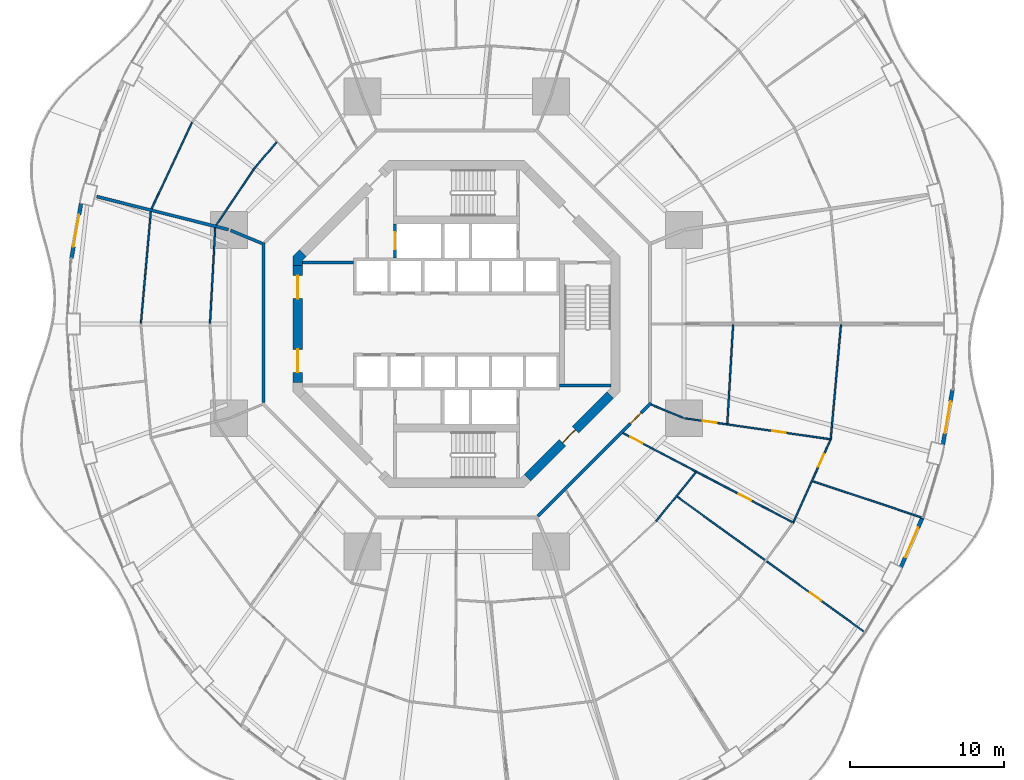
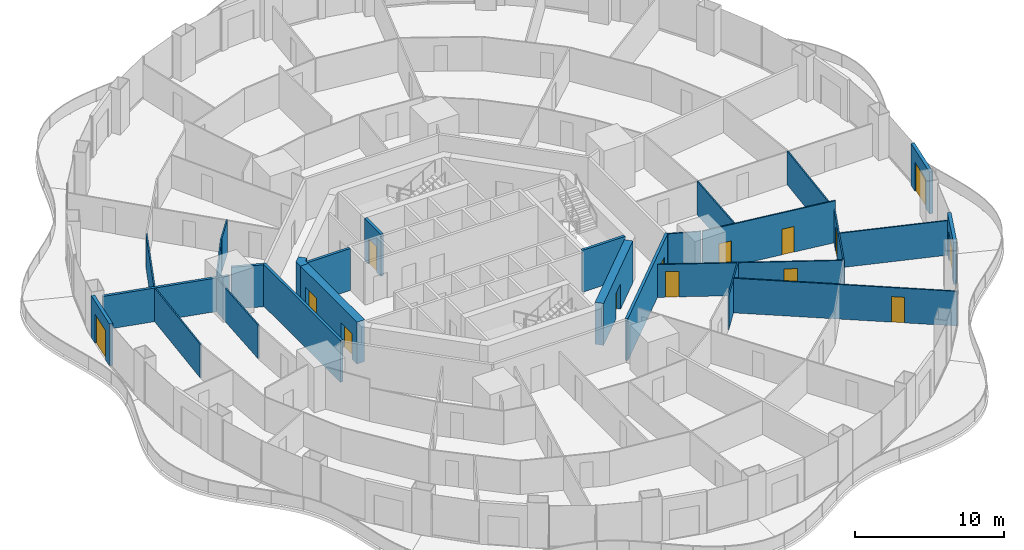
# One storey, part 16 of 22: 27 walls, 14 doors, 14 openings.
"""IFC4 building model written with IfcOpenShell, lengths in metres."""

from ifc_helpers import new_model, si_unit, direction, frame, frame_2d, origin, place, context, subcontext, project, spatial, polyline, rectangle, outline, extrude, material, layer, layer_set, type_object, element, fill, save


model = new_model("IFC4")

# Units and contexts
model_context = context("Model", 3, precision=1e-05, world=origin(), true_north=direction((0.0, 1.0)))
body_context = subcontext(model_context, "Body", "Model", "MODEL_VIEW")
ifc_project = project(units=[si_unit("LENGTHUNIT", "METRE"), si_unit("AREAUNIT", "SQUARE_METRE"), si_unit("VOLUMEUNIT", "CUBIC_METRE"), si_unit("PLANEANGLEUNIT", "RADIAN"), si_unit("MASSUNIT", "GRAM", prefix="KILO")], contexts=[model_context])

# Site, building, storey
site_placement = place(None, origin())
site = spatial("IfcSite", under=ifc_project, at=site_placement, CompositionType="ELEMENT")
building_placement = place(site_placement, origin())
building = spatial("IfcBuilding", under=site, at=building_placement, Name="Nagisa Residences", CompositionType="ELEMENT")
storey_placement = place(building_placement, frame((0.0, 0.0, 45.5)))
storey = spatial("IfcBuildingStorey", under=building, at=storey_placement, Name="L10", CompositionType="ELEMENT", Elevation=45.5)

# Walls
ifc_material_1 = material(Name="Gypsum board on steel studs", Category="steel")
ifc_layer_1 = layer(ifc_material_1, 0.199951171875)
ifc_layer_set_1 = layer_set([ifc_layer_1], Name="Apartment compartment wall EI60 200")
wall_type_1 = type_object("IfcWallType", Name="Apartment compartment wall EI60 200", PredefinedType="PARTITIONING", material=ifc_layer_set_1)
wall_1_placement = place(storey_placement, frame((-12.6572265625, 5.24267578125, 0.0), z_axis=(0.0, 0.0, 1.0), x_axis=(-0.923885664896, 0.382668627144, 0.0)))
element("IfcWall", 1, at=wall_1_placement, inside=storey, type_object=wall_type_1, Name="wall:L10:u02", PredefinedType="PARTITIONING", context=body_context, shape_type="SweptSolid", body=[
    extrude(rectangle(XDim=2.200439453125, YDim=0.199951171875, at=frame_2d((1.10009765625, 0.0))), origin(), (0.0, 0.0, 1.0), 3.43994140625),
])
wall_2_placement = place(storey_placement, frame((-14.83056640625, 6.135009765625, 0.0), z_axis=(0.0, 0.0, 1.0), x_axis=(-0.969884949569, 0.243563512454, 0.0)))
element("IfcWall", 2, at=wall_2_placement, inside=storey, type_object=wall_type_1, Name="wall:L10:u03", PredefinedType="PARTITIONING", context=body_context, shape_type="SweptSolid", body=[
    extrude(rectangle(XDim=8.828857421875, YDim=0.199951171875, at=frame_2d((4.41455078125, 0.0))), origin(), (0.0, 0.0, 1.0), 2.756103515625),
])
ifc_material_2 = material(Name="Gypsum board on steel studs", Category="steel")
ifc_layer_2 = layer(ifc_material_2, 0.199951171875)
ifc_layer_set_2 = layer_set([ifc_layer_2], Name="Apartment entry wall EI60 200")
wall_type_2 = type_object("IfcWallType", Name="Apartment entry wall EI60 200", PredefinedType="PARTITIONING", material=ifc_layer_set_2)
wall_3_placement = place(storey_placement, frame((-12.564697265625, 5.304443359375, 0.0), z_axis=(0.0, 0.0, 1.0), x_axis=(0.0, -1.0, 0.0)))
element("IfcWall", 3, at=wall_3_placement, inside=storey, type_object=wall_type_2, Name="wall:L10:u10", PredefinedType="PARTITIONING", context=body_context, shape_type="SweptSolid", body=[
    extrude(rectangle(XDim=10.408935546875, YDim=0.199951171875, at=frame_2d((5.20458984375, 0.0))), origin(), (0.0, 0.0, 1.0), 3.43994140625),
])

# Wall, opening, door
wall_4_placement = place(storey_placement, frame((5.275146484375, -12.494140625, 0.0), z_axis=(0.0, 0.0, 1.0), x_axis=(0.707106781187, 0.707106781187, 0.0)))
wall_4 = element("IfcWall", 4, at=wall_4_placement, inside=storey, type_object=wall_type_2, Name="wall:L10:u13", PredefinedType="PARTITIONING", context=body_context, shape_type="SweptSolid", body=[
    extrude(rectangle(XDim=10.4091796875, YDim=0.199951171875, at=frame_2d((5.20458984375, 0.0))), origin(), (0.0, 0.0, 1.0), 3.43994140625),
])
opening_1_placement = place(wall_4_placement, frame((8.5078125, 0.0, 0.0)))
opening_1 = element("IfcOpeningElement", 5, at=opening_1_placement, cuts=wall_4, Name="Opening L10-U38", PredefinedType="OPENING", context=body_context, shape_type="SweptSolid", body=[
    extrude(rectangle(XDim=1.0, YDim=2.10009765625, at=frame_2d((0.5, 1.050048828125))), frame((0.0, 0.10986328125, 0.0), z_axis=(0.0, -1.0, 0.0), x_axis=(1.0, 0.0, 0.0)), (0.0, 0.0, 1.0), 0.219970703125),
])
ifc_material_3 = material(Name="Timber fire door set", Category="wood")
door_type_1 = type_object("IfcDoorType", Name="Apartment entry door FD30S 1000x2100", OperationType="NOTDEFINED", PredefinedType="DOOR", material=ifc_material_3)
door_1_placement = place(opening_1_placement, frame((1.0, 0.0, 0.0), x_axis=(-1.0, 0.0, 0.0)))
door_1 = element("IfcDoor", 6, at=door_1_placement, inside=storey, type_object=door_type_1, Name="Entry door, Apartment 10C", OperationType="SINGLE_SWING_LEFT", OverallHeight=2.10009765625, OverallWidth=1.0, PredefinedType="DOOR", context=body_context, shape_type="SweptSolid", body=[
    extrude(rectangle(XDim=1.0, YDim=2.10009765625, at=frame_2d((0.5, 1.050048828125))), frame((0.0, 0.02490234375, 0.0), z_axis=(0.0, -1.0, 0.0), x_axis=(1.0, 0.0, 0.0)), (0.0, 0.0, 1.0), 0.050048828125),
])
fill(opening_1, door_1)

# Walls
ifc_material_4 = material(Name="Gypsum board on steel studs", Category="steel")
ifc_layer_3 = layer(ifc_material_4, 0.10009765625)
ifc_layer_set_3 = layer_set([ifc_layer_3], Name="Apartment partition 100")
wall_type_3 = type_object("IfcWallType", Name="Apartment partition 100", PredefinedType="PARTITIONING", material=ifc_layer_set_3)
wall_5_placement = place(storey_placement, frame((17.971435546875, -0.0498046875, 0.0), z_axis=(0.0, 0.0, 1.0), x_axis=(-0.058475267553, -0.998288857538, 0.0)))
element("IfcWall", 7, at=wall_5_placement, inside=storey, type_object=wall_type_3, Name="wall:L10:u16", PredefinedType="PARTITIONING", context=body_context, shape_type="SweptSolid", body=[
    extrude(rectangle(XDim=6.43798828125, YDim=0.10009765625, at=frame_2d((3.218994140625, 0.0))), origin(), (0.0, 0.0, 1.0), 2.756103515625),
])
wall_6_placement = place(storey_placement, frame((24.982177734375, -0.0498046875, 0.0), z_axis=(0.0, 0.0, 1.0), x_axis=(-0.089432471274, -0.995992888068, 0.0)))
element("IfcWall", 8, at=wall_6_placement, inside=storey, type_object=wall_type_3, Name="wall:L10:u18", PredefinedType="PARTITIONING", context=body_context, shape_type="SweptSolid", body=[
    extrude(rectangle(XDim=7.422607421875, YDim=0.10009765625, at=frame_2d((3.71142578125, 0.0))), origin(), (0.0, 0.0, 1.0), 2.756103515625),
])
wall_7_placement = place(storey_placement, frame((-11.70458984375, 11.824951171875, 0.0), z_axis=(0.0, 0.0, 1.0), x_axis=(-0.640861724905, -0.767656335577, 0.0)))
element("IfcWall", 9, at=wall_7_placement, inside=storey, type_object=wall_type_3, Name="wall:L10:u49", PredefinedType="PARTITIONING", context=body_context, shape_type="SweptSolid", body=[
    extrude(rectangle(XDim=2.268310546875, YDim=0.10009765625, at=frame_2d((1.13427734375, 0.0))), origin(), (0.0, 0.0, 1.0), 2.756103515625),
])
wall_8_placement = place(storey_placement, frame((-13.162353515625, 10.086669921875, 0.0), z_axis=(0.0, 0.0, 1.0), x_axis=(-0.55912750241, -0.829081682375, 0.0)))
element("IfcWall", 10, at=wall_8_placement, inside=storey, type_object=wall_type_3, Name="wall:L10:u50", PredefinedType="PARTITIONING", context=body_context, shape_type="SweptSolid", body=[
    extrude(rectangle(XDim=4.407958984375, YDim=0.10009765625, at=frame_2d((2.2041015625, 0.0))), origin(), (0.0, 0.0, 1.0), 2.756103515625),
])
wall_9_placement = place(storey_placement, frame((-17.20263671875, 13.0947265625, 0.0), z_axis=(0.0, 0.0, 1.0), x_axis=(-0.423926333401, -0.905696673202, 0.0)))
element("IfcWall", 11, at=wall_9_placement, inside=storey, type_object=wall_type_3, Name="wall:L10:u51", PredefinedType="PARTITIONING", context=body_context, shape_type="SweptSolid", body=[
    extrude(rectangle(XDim=6.1875, YDim=0.10009765625, at=frame_2d((3.09375, 0.0))), origin(), (0.0, 0.0, 1.0), 2.756103515625),
])
wall_10_placement = place(storey_placement, frame((-15.688232421875, 6.249267578125, 0.0), z_axis=(0.0, 0.0, 1.0), x_axis=(-0.054659814056, -0.998505034903, 0.0)))
element("IfcWall", 12, at=wall_10_placement, inside=storey, type_object=wall_type_3, Name="wall:L10:u52", PredefinedType="PARTITIONING", context=body_context, shape_type="SweptSolid", body=[
    extrude(rectangle(XDim=6.20849609375, YDim=0.10009765625, at=frame_2d((3.104248046875, 0.0))), origin(), (0.0, 0.0, 1.0), 2.756103515625),
])
wall_11_placement = place(storey_placement, frame((-19.876708984375, 7.300537109375, 0.0), z_axis=(0.0, 0.0, 1.0), x_axis=(-0.088143415068, -0.996107794558, 0.0)))
element("IfcWall", 13, at=wall_11_placement, inside=storey, type_object=wall_type_3, Name="wall:L10:u53", PredefinedType="PARTITIONING", context=body_context, shape_type="SweptSolid", body=[
    extrude(rectangle(XDim=7.279052734375, YDim=0.10009765625, at=frame_2d((3.6396484375, 0.0))), origin(), (0.0, 0.0, 1.0), 2.756103515625),
])
wall_12_placement = place(storey_placement, frame((12.962890625, -12.824951171875, 0.0), z_axis=(0.0, 0.0, 1.0), x_axis=(0.63012473344, 0.776493928056, 0.0)))
element("IfcWall", 14, at=wall_12_placement, inside=storey, type_object=wall_type_3, Name="wall:L10:u84", PredefinedType="PARTITIONING", context=body_context, shape_type="SweptSolid", body=[
    extrude(rectangle(XDim=4.1064453125, YDim=0.10009765625, at=frame_2d((2.05322265625, 0.0))), origin(), (0.0, 0.0, 1.0), 2.756103515625),
])

# Wall, opening, door
wall_13_placement = place(storey_placement, frame((14.328857421875, -11.22119140625, 0.0), z_axis=(0.0, 0.0, 1.0), x_axis=(0.810671130917, -0.58550176558, 0.0)))
wall_13 = element("IfcWall", 15, at=wall_13_placement, inside=storey, type_object=wall_type_3, Name="wall:L10:u86", PredefinedType="PARTITIONING", context=body_context, shape_type="SweptSolid", body=[
    extrude(rectangle(XDim=15.105712890625, YDim=0.10009765625, at=frame_2d((7.552734375, 0.0))), origin(), (0.0, 0.0, 1.0), 2.8369140625),
])
opening_2_placement = place(wall_13_placement, frame((10.65869140625, 0.0, 0.0)))
opening_2 = element("IfcOpeningElement", 16, at=opening_2_placement, cuts=wall_13, Name="Opening L10-U47", PredefinedType="OPENING", context=body_context, shape_type="SweptSolid", body=[
    extrude(rectangle(XDim=0.89990234375, YDim=2.10009765625, at=frame_2d((0.449951171875, 1.050048828125))), frame((0.0, 0.06005859375, 0.0), z_axis=(0.0, -1.0, 0.0), x_axis=(1.0, 0.0, 0.0)), (0.0, 0.0, 1.0), 0.1201171875),
])
ifc_material_5 = material(Name="Timber door set", Category="wood")
door_type_2 = type_object("IfcDoorType", Name="Apartment door 900x2100", OperationType="NOTDEFINED", PredefinedType="DOOR", material=ifc_material_5)
door_2_placement = place(opening_2_placement, origin())
door_2 = element("IfcDoor", 17, at=door_2_placement, inside=storey, type_object=door_type_2, Name="Door to master bedroom, Apartment 10C", OperationType="SINGLE_SWING_LEFT", OverallHeight=2.10009765625, OverallWidth=0.89990234375, PredefinedType="DOOR", context=body_context, shape_type="SweptSolid", body=[
    extrude(rectangle(XDim=0.89990234375, YDim=2.10009765625, at=frame_2d((0.449951171875, 1.050048828125))), frame((0.0, 0.02490234375, 0.0), z_axis=(0.0, -1.0, 0.0), x_axis=(1.0, 0.0, 0.0)), (0.0, 0.0, 1.0), 0.050048828125),
])
fill(opening_2, door_2)

# Wall, openings, doors
wall_14_placement = place(storey_placement, frame((10.813232421875, -7.091064453125, 0.0), z_axis=(0.0, 0.0, 1.0), x_axis=(0.885182649479, -0.465243674928, 0.0)))
wall_14 = element("IfcWall", 18, at=wall_14_placement, inside=storey, type_object=wall_type_3, Name="wall:L10:u87", PredefinedType="PARTITIONING", context=body_context, shape_type="SweptSolid", body=[
    extrude(rectangle(XDim=12.550537109375, YDim=0.10009765625, at=frame_2d((6.275390625, 0.0))), origin(), (0.0, 0.0, 1.0), 2.68701171875),
])
opening_3_placement = place(wall_14_placement, frame((0.539306640625, 0.0, 0.0)))
opening_3 = element("IfcOpeningElement", 19, at=opening_3_placement, cuts=wall_14, Name="Opening L10-U39", PredefinedType="OPENING", context=body_context, shape_type="SweptSolid", body=[
    extrude(rectangle(XDim=0.89990234375, YDim=2.10009765625, at=frame_2d((0.449951171875, 1.050048828125))), frame((0.0, 0.06005859375, 0.0), z_axis=(0.0, -1.0, 0.0), x_axis=(1.0, 0.0, 0.0)), (0.0, 0.0, 1.0), 0.1201171875),
])
opening_4_placement = place(wall_14_placement, frame((8.493896484375, 0.0, 0.0)))
opening_4 = element("IfcOpeningElement", 20, at=opening_4_placement, cuts=wall_14, Name="Opening L10-U43", PredefinedType="OPENING", context=body_context, shape_type="SweptSolid", body=[
    extrude(rectangle(XDim=0.89990234375, YDim=2.10009765625, at=frame_2d((0.449951171875, 1.050048828125))), frame((0.0, 0.06005859375, 0.0), z_axis=(0.0, -1.0, 0.0), x_axis=(1.0, 0.0, 0.0)), (0.0, 0.0, 1.0), 0.1201171875),
])
door_3_placement = place(opening_3_placement, frame((0.89990234375, 0.0, 0.0), x_axis=(-1.0, 0.0, 0.0)))
door_3 = element("IfcDoor", 21, at=door_3_placement, inside=storey, type_object=door_type_2, Name="Door to store, Apartment 10C", OperationType="SINGLE_SWING_RIGHT", OverallHeight=2.10009765625, OverallWidth=0.89990234375, PredefinedType="DOOR", context=body_context, shape_type="SweptSolid", body=[
    extrude(rectangle(XDim=0.89990234375, YDim=2.10009765625, at=frame_2d((0.449951171875, 1.050048828125))), frame((0.0, 0.02490234375, 0.0), z_axis=(0.0, -1.0, 0.0), x_axis=(1.0, 0.0, 0.0)), (0.0, 0.0, 1.0), 0.050048828125),
])
fill(opening_3, door_3)
door_4_placement = place(opening_4_placement, frame((0.89990234375, 0.0, 0.0), x_axis=(-1.0, 0.0, 0.0)))
door_4 = element("IfcDoor", 22, at=door_4_placement, inside=storey, type_object=door_type_2, Name="Door to family bathroom, Apartment 10C", OperationType="SINGLE_SWING_RIGHT", OverallHeight=2.10009765625, OverallWidth=0.89990234375, PredefinedType="DOOR", context=body_context, shape_type="SweptSolid", body=[
    extrude(rectangle(XDim=0.89990234375, YDim=2.10009765625, at=frame_2d((0.449951171875, 1.050048828125))), frame((0.0, 0.02490234375, 0.0), z_axis=(0.0, -1.0, 0.0), x_axis=(1.0, 0.0, 0.0)), (0.0, 0.0, 1.0), 0.050048828125),
])
fill(opening_4, door_4)

# Wall, opening, door
wall_15_placement = place(storey_placement, frame((21.89892578125, -12.861328125, 0.0), z_axis=(0.0, 0.0, 1.0), x_axis=(0.410197710154, 0.911996622025, 0.0)))
wall_15 = element("IfcWall", 23, at=wall_15_placement, inside=storey, type_object=wall_type_3, Name="wall:L10:u88", PredefinedType="PARTITIONING", context=body_context, shape_type="SweptSolid", body=[
    extrude(rectangle(XDim=5.8369140625, YDim=0.10009765625, at=frame_2d((2.91845703125, 0.0))), origin(), (0.0, 0.0, 1.0), 2.756103515625),
])
opening_5_placement = place(wall_15_placement, frame((3.927734375, 0.0, 0.0)))
opening_5 = element("IfcOpeningElement", 24, at=opening_5_placement, cuts=wall_15, Name="Opening L10-U48", PredefinedType="OPENING", context=body_context, shape_type="SweptSolid", body=[
    extrude(rectangle(XDim=0.89990234375, YDim=2.10009765625, at=frame_2d((0.449951171875, 1.050048828125))), frame((0.0, 0.06005859375, 0.0), z_axis=(0.0, -1.0, 0.0), x_axis=(1.0, 0.0, 0.0)), (0.0, 0.0, 1.0), 0.1201171875),
])
door_5_placement = place(opening_5_placement, frame((0.89990234375, 0.0, 0.0), x_axis=(-1.0, 0.0, 0.0)))
door_5 = element("IfcDoor", 25, at=door_5_placement, inside=storey, type_object=door_type_2, Name="Door to living room, Apartment 10C", OperationType="SINGLE_SWING_LEFT", OverallHeight=2.10009765625, OverallWidth=0.89990234375, PredefinedType="DOOR", context=body_context, shape_type="SweptSolid", body=[
    extrude(rectangle(XDim=0.89990234375, YDim=2.10009765625, at=frame_2d((0.449951171875, 1.050048828125))), frame((0.0, 0.02490234375, 0.0), z_axis=(0.0, -1.0, 0.0), x_axis=(1.0, 0.0, 0.0)), (0.0, 0.0, 1.0), 0.050048828125),
])
fill(opening_5, door_5)

# Walls
wall_16_placement = place(storey_placement, frame((23.1435546875, -10.215576171875, 0.0), z_axis=(0.0, 0.0, 1.0), x_axis=(0.948811715359, -0.315842253027, 0.0)))
element("IfcWall", 26, at=wall_16_placement, inside=storey, type_object=wall_type_3, Name="wall:L10:u89", PredefinedType="PARTITIONING", context=body_context, shape_type="SweptSolid", body=[
    extrude(rectangle(XDim=7.599853515625, YDim=0.10009765625, at=frame_2d((3.7998046875, 0.0))), origin(), (0.0, 0.0, 1.0), 2.8369140625),
])
wall_17_placement = place(storey_placement, frame((12.6572265625, -5.24267578125, 0.0), z_axis=(0.0, 0.0, 1.0), x_axis=(0.923864733477, -0.382719158442, 0.0)))
element("IfcWall", 27, at=wall_17_placement, inside=storey, type_object=wall_type_3, Name="wall:L10:u90", PredefinedType="PARTITIONING", context=body_context, shape_type="SweptSolid", body=[
    extrude(rectangle(XDim=2.25, YDim=0.10009765625, at=frame_2d((1.125, 0.0))), origin(), (0.0, 0.0, 1.0), 3.43994140625),
])

# Wall, openings, doors
wall_18_placement = place(storey_placement, frame((14.83154296875, -6.130126953125, 0.0), z_axis=(0.0, 0.0, 1.0), x_axis=(0.989837122016, -0.142205737856, 0.0)))
wall_18 = element("IfcWall", 28, at=wall_18_placement, inside=storey, type_object=wall_type_3, Name="wall:L10:u91", PredefinedType="PARTITIONING", context=body_context, shape_type="SweptSolid", body=[
    extrude(rectangle(XDim=9.629638671875, YDim=0.10009765625, at=frame_2d((4.81494140625, 0.0))), origin(), (0.0, 0.0, 1.0), 3.43994140625),
])
opening_6_placement = place(wall_18_placement, frame((1.18212890625, 0.0, 0.0)))
opening_6 = element("IfcOpeningElement", 29, at=opening_6_placement, cuts=wall_18, Name="Opening L10-U40", PredefinedType="OPENING", context=body_context, shape_type="SweptSolid", body=[
    extrude(rectangle(XDim=0.89990234375, YDim=2.10009765625, at=frame_2d((0.449951171875, 1.050048828125))), frame((0.0, 0.06005859375, 0.0), z_axis=(0.0, -1.0, 0.0), x_axis=(1.0, 0.0, 0.0)), (0.0, 0.0, 1.0), 0.1201171875),
])
opening_7_placement = place(wall_18_placement, frame((5.734130859375, 0.0, 0.0)))
opening_7 = element("IfcOpeningElement", 30, at=opening_7_placement, cuts=wall_18, Name="Opening L10-U44", PredefinedType="OPENING", context=body_context, shape_type="SweptSolid", body=[
    extrude(rectangle(XDim=0.89990234375, YDim=2.10009765625, at=frame_2d((0.449951171875, 1.050048828125))), frame((0.0, 0.06005859375, 0.0), z_axis=(0.0, -1.0, 0.0), x_axis=(1.0, 0.0, 0.0)), (0.0, 0.0, 1.0), 0.1201171875),
])
door_6_placement = place(opening_6_placement, origin())
door_6 = element("IfcDoor", 31, at=door_6_placement, inside=storey, type_object=door_type_2, Name="Door to laundry, Apartment 10C", OperationType="SINGLE_SWING_RIGHT", OverallHeight=2.10009765625, OverallWidth=0.89990234375, PredefinedType="DOOR", context=body_context, shape_type="SweptSolid", body=[
    extrude(rectangle(XDim=0.89990234375, YDim=2.10009765625, at=frame_2d((0.449951171875, 1.050048828125))), frame((0.0, 0.02490234375, 0.0), z_axis=(0.0, -1.0, 0.0), x_axis=(1.0, 0.0, 0.0)), (0.0, 0.0, 1.0), 0.050048828125),
])
fill(opening_6, door_6)
door_7_placement = place(opening_7_placement, origin())
door_7 = element("IfcDoor", 32, at=door_7_placement, inside=storey, type_object=door_type_2, Name="Door to dining room, Apartment 10C", OperationType="SINGLE_SWING_RIGHT", OverallHeight=2.10009765625, OverallWidth=0.89990234375, PredefinedType="DOOR", context=body_context, shape_type="SweptSolid", body=[
    extrude(rectangle(XDim=0.89990234375, YDim=2.10009765625, at=frame_2d((0.449951171875, 1.050048828125))), frame((0.0, 0.02490234375, 0.0), z_axis=(0.0, -1.0, 0.0), x_axis=(1.0, 0.0, 0.0)), (0.0, 0.0, 1.0), 0.050048828125),
])
fill(opening_7, door_7)

# Wall, opening, door
ifc_material_6 = material(Name="Precast concrete C40/50", Category="concrete")
ifc_layer_4 = layer(ifc_material_6, 0.25)
ifc_layer_set_4 = layer_set([ifc_layer_4], Name="BALCONY DOOR WALL 250")
wall_type_4 = type_object("IfcWallType", Name="BALCONY DOOR WALL 250", PredefinedType="SOLIDWALL", material=ifc_layer_set_4)
wall_19_placement = place(storey_placement, frame((-25.02880859375, 4.285888671875, 0.0), z_axis=(0.0, 0.0, 1.0), x_axis=(0.172217377323, 0.98505897029, 0.0)))
wall_19 = element("IfcWall", 33, at=wall_19_placement, inside=storey, type_object=wall_type_4, Name="wall:L10:bay22", PredefinedType="SOLIDWALL", context=body_context, shape_type="SweptSolid", body=[
    extrude(rectangle(XDim=3.597900390625, YDim=0.25, at=frame_2d((1.798828125, 0.0))), origin(), (0.0, 0.0, 1.0), 3.43994140625),
])
opening_8_placement = place(wall_19_placement, frame((0.7490234375, 0.0, 0.0)))
opening_8 = element("IfcOpeningElement", 34, at=opening_8_placement, cuts=wall_19, Name="Opening BD-L10-08", PredefinedType="OPENING", context=body_context, shape_type="SweptSolid", body=[
    extrude(rectangle(XDim=2.10009765625, YDim=2.39990234375, at=frame_2d((1.050048828125, 1.199951171875))), frame((0.0, 0.135009765625, 0.0), z_axis=(0.0, -1.0, 0.0), x_axis=(1.0, 0.0, 0.0)), (0.0, 0.0, 1.0), 0.27001953125),
])
ifc_material_7 = material(Name="Aluminium and clear glass", Category="aluminium")
door_type_3 = type_object("IfcDoorType", Name="BALCONY SLIDING DOOR 2100x2400", OperationType="SLIDING_TO_LEFT", PredefinedType="DOOR", material=ifc_material_7)
door_8_placement = place(opening_8_placement, origin())
door_8 = element("IfcDoor", 35, at=door_8_placement, inside=storey, type_object=door_type_3, Name="door:L10:bay22", OperationType="SLIDING_TO_LEFT", OverallHeight=2.39990234375, OverallWidth=2.10009765625, PredefinedType="DOOR", context=body_context, shape_type="SweptSolid", body=[
    extrude(rectangle(XDim=2.10009765625, YDim=2.39990234375, at=frame_2d((1.050048828125, 1.199951171875))), frame((0.0, 0.02490234375, 0.0), z_axis=(0.0, -1.0, 0.0), x_axis=(1.0, 0.0, 0.0)), (0.0, 0.0, 1.0), 0.050048828125),
])
fill(opening_8, door_8)

wall_20_placement = place(storey_placement, frame((30.27783203125, -12.578857421875, 0.0), z_axis=(0.0, 0.0, 1.0), x_axis=(-0.397624958345, -0.917548032803, 0.0)))
wall_20 = element("IfcWall", 36, at=wall_20_placement, inside=storey, type_object=wall_type_4, Name="wall:L10:bay44", PredefinedType="SOLIDWALL", context=body_context, shape_type="SweptSolid", body=[
    extrude(rectangle(XDim=3.51953125, YDim=0.25, at=frame_2d((1.759765625, 0.0))), origin(), (0.0, 0.0, 1.0), 3.43994140625),
])
opening_9_placement = place(wall_20_placement, frame((0.709716796875, 0.0, 0.0)))
opening_9 = element("IfcOpeningElement", 37, at=opening_9_placement, cuts=wall_20, Name="Opening BD-L10-15", PredefinedType="OPENING", context=body_context, shape_type="SweptSolid", body=[
    extrude(rectangle(XDim=2.10009765625, YDim=2.39990234375, at=frame_2d((1.050048828125, 1.199951171875))), frame((0.0, 0.135009765625, 0.0), z_axis=(0.0, -1.0, 0.0), x_axis=(1.0, 0.0, 0.0)), (0.0, 0.0, 1.0), 0.27001953125),
])
door_9_placement = place(opening_9_placement, origin())
door_9 = element("IfcDoor", 38, at=door_9_placement, inside=storey, type_object=door_type_3, Name="door:L10:bay44", OperationType="SLIDING_TO_LEFT", OverallHeight=2.39990234375, OverallWidth=2.10009765625, PredefinedType="DOOR", context=body_context, shape_type="SweptSolid", body=[
    extrude(rectangle(XDim=2.10009765625, YDim=2.39990234375, at=frame_2d((1.050048828125, 1.199951171875))), frame((0.0, 0.02490234375, 0.0), z_axis=(0.0, -1.0, 0.0), x_axis=(1.0, 0.0, 0.0)), (0.0, 0.0, 1.0), 0.050048828125),
])
fill(opening_9, door_9)

wall_21_placement = place(storey_placement, frame((32.228759765625, -4.285888671875, 0.0), z_axis=(0.0, 0.0, 1.0), x_axis=(-0.172217377323, -0.98505897029, 0.0)))
wall_21 = element("IfcWall", 39, at=wall_21_placement, inside=storey, type_object=wall_type_4, Name="wall:L10:bay46", PredefinedType="SOLIDWALL", context=body_context, shape_type="SweptSolid", body=[
    extrude(rectangle(XDim=3.597900390625, YDim=0.25, at=frame_2d((1.798828125, 0.0))), origin(), (0.0, 0.0, 1.0), 3.43994140625),
])
opening_10_placement = place(wall_21_placement, frame((0.7490234375, 0.0, 0.0)))
opening_10 = element("IfcOpeningElement", 40, at=opening_10_placement, cuts=wall_21, Name="Opening BD-L10-16", PredefinedType="OPENING", context=body_context, shape_type="SweptSolid", body=[
    extrude(rectangle(XDim=2.10009765625, YDim=2.39990234375, at=frame_2d((1.050048828125, 1.199951171875))), frame((0.0, 0.135009765625, 0.0), z_axis=(0.0, -1.0, 0.0), x_axis=(1.0, 0.0, 0.0)), (0.0, 0.0, 1.0), 0.27001953125),
])
door_10_placement = place(opening_10_placement, origin())
door_10 = element("IfcDoor", 41, at=door_10_placement, inside=storey, type_object=door_type_3, Name="door:L10:bay46", OperationType="SLIDING_TO_LEFT", OverallHeight=2.39990234375, OverallWidth=2.10009765625, PredefinedType="DOOR", context=body_context, shape_type="SweptSolid", body=[
    extrude(rectangle(XDim=2.10009765625, YDim=2.39990234375, at=frame_2d((1.050048828125, 1.199951171875))), frame((0.0, 0.02490234375, 0.0), z_axis=(0.0, -1.0, 0.0), x_axis=(1.0, 0.0, 0.0)), (0.0, 0.0, 1.0), 0.050048828125),
])
fill(opening_10, door_10)

# Wall
ifc_material_8 = material(Name="Gypsum board on steel studs", Category="steel")
ifc_layer_5 = layer(ifc_material_8, 0.199951171875)
ifc_layer_set_5 = layer_set([ifc_layer_5], Name="Core partition 200")
wall_type_5 = type_object("IfcWallType", Name="Core partition 200", PredefinedType="PARTITIONING", material=ifc_layer_set_5)
wall_22_placement = place(storey_placement, frame((-10.024658203125, 4.0, 0.0), z_axis=(0.0, 0.0, 1.0), x_axis=(1.0, 0.0, 0.0)))
element("IfcWall", 42, at=wall_22_placement, inside=storey, type_object=wall_type_5, Name="wall:L10:PNW", PredefinedType="PARTITIONING", context=body_context, shape_type="SweptSolid", body=[
    extrude(rectangle(XDim=3.32470703125, YDim=0.199951171875, at=frame_2d((1.662353515625, 0.0))), origin(), (0.0, 0.0, 1.0), 3.43994140625),
])

# Wall, openings, doors
ifc_material_9 = material(Name="Concrete C60", Category="concrete")
ifc_layer_6 = layer(ifc_material_9, 0.60009765625)
ifc_layer_set_6 = layer_set([ifc_layer_6], Name="Core shear wall 600")
wall_type_6 = type_object("IfcWallType", Name="Core shear wall 600", PredefinedType="SHEAR", material=ifc_layer_set_6)
wall_23_placement = place(storey_placement, frame((-10.32470703125, 3.80078125, 0.0), z_axis=(0.0, 0.0, 1.0), x_axis=(0.0, -1.0, 0.0)))
wall_23 = element("IfcWall", 43, at=wall_23_placement, inside=storey, type_object=wall_type_6, Name="wall:L10:core:flat4", PredefinedType="SHEAR", context=body_context, shape_type="SweptSolid", body=[
    extrude(rectangle(XDim=7.6015625, YDim=0.60009765625, at=frame_2d((3.80078125, 0.0))), origin(), (0.0, 0.0, 1.0), 3.43994140625),
])
opening_11_placement = place(wall_23_placement, frame((0.65087890625, 0.0, 0.0)))
opening_11 = element("IfcOpeningElement", 44, at=opening_11_placement, cuts=wall_23, Name="Opening L10-C17", PredefinedType="OPENING", context=body_context, shape_type="SweptSolid", body=[
    extrude(rectangle(XDim=1.5, YDim=2.10009765625, at=frame_2d((0.75, 1.050048828125))), frame((0.0, 0.31005859375, 0.0), z_axis=(0.0, -1.0, 0.0), x_axis=(1.0, 0.0, 0.0)), (0.0, 0.0, 1.0), 0.6201171875),
])
opening_12_placement = place(wall_23_placement, frame((5.450927734375, 0.0, 0.0)))
opening_12 = element("IfcOpeningElement", 45, at=opening_12_placement, cuts=wall_23, Name="Opening L10-C18", PredefinedType="OPENING", context=body_context, shape_type="SweptSolid", body=[
    extrude(rectangle(XDim=1.5, YDim=2.10009765625, at=frame_2d((0.75, 1.050048828125))), frame((0.0, 0.31005859375, 0.0), z_axis=(0.0, -1.0, 0.0), x_axis=(1.0, 0.0, 0.0)), (0.0, 0.0, 1.0), 0.6201171875),
])
ifc_material_10 = material(Name="Steel fire door", Category="steel")
door_type_4 = type_object("IfcDoorType", Name="Fire door EI60 1500x2100 double door single swing", OperationType="DOUBLE_DOOR_SINGLE_SWING", PredefinedType="DOOR", material=ifc_material_10)
door_11_placement = place(opening_11_placement, origin())
door_11 = element("IfcDoor", 46, at=door_11_placement, inside=storey, type_object=door_type_4, Name="Lift lobby door L10 1", OperationType="DOUBLE_DOOR_SINGLE_SWING", OverallHeight=2.10009765625, OverallWidth=1.5, PredefinedType="DOOR", context=body_context, shape_type="SweptSolid", body=[
    extrude(rectangle(XDim=1.5, YDim=2.10009765625, at=frame_2d((0.75, 1.050048828125))), frame((0.0, 0.02490234375, 0.0), z_axis=(0.0, -1.0, 0.0), x_axis=(1.0, 0.0, 0.0)), (0.0, 0.0, 1.0), 0.050048828125),
])
fill(opening_11, door_11)
door_12_placement = place(opening_12_placement, origin())
door_12 = element("IfcDoor", 47, at=door_12_placement, inside=storey, type_object=door_type_4, Name="Lift lobby door L10 2", OperationType="DOUBLE_DOOR_SINGLE_SWING", OverallHeight=2.10009765625, OverallWidth=1.5, PredefinedType="DOOR", context=body_context, shape_type="SweptSolid", body=[
    extrude(rectangle(XDim=1.5, YDim=2.10009765625, at=frame_2d((0.75, 1.050048828125))), frame((0.0, 0.02490234375, 0.0), z_axis=(0.0, -1.0, 0.0), x_axis=(1.0, 0.0, 0.0)), (0.0, 0.0, 1.0), 0.050048828125),
])
fill(opening_12, door_12)

# Wall, opening, door
wall_24_placement = place(storey_placement, frame((4.613037109375, -9.98828125, 0.0), z_axis=(0.0, 0.0, 1.0), x_axis=(0.707106781187, 0.707106781187, 0.0)))
wall_24 = element("IfcWall", 48, at=wall_24_placement, inside=storey, type_object=wall_type_6, Name="wall:L10:core:flat7", PredefinedType="SHEAR", context=body_context, shape_type="SweptSolid", body=[
    extrude(rectangle(XDim=7.601806640625, YDim=0.60009765625, at=frame_2d((3.80078125, 0.0))), origin(), (0.0, 0.0, 1.0), 3.43994140625),
])
opening_13_placement = place(wall_24_placement, frame((3.200927734375, 0.0, 0.0)))
opening_13 = element("IfcOpeningElement", 49, at=opening_13_placement, cuts=wall_24, Name="Opening L10-C16", PredefinedType="OPENING", context=body_context, shape_type="SweptSolid", body=[
    extrude(rectangle(XDim=1.199951171875, YDim=2.10009765625, at=frame_2d((0.60009765625, 1.050048828125))), frame((0.0, 0.31005859375, 0.0), z_axis=(0.0, -1.0, 0.0), x_axis=(1.0, 0.0, 0.0)), (0.0, 0.0, 1.0), 0.6201171875),
])
ifc_material_11 = material(Name="Steel fire door", Category="steel")
door_type_5 = type_object("IfcDoorType", Name="Fire door EI60 1200x2100 single swing", OperationType="NOTDEFINED", PredefinedType="DOOR", material=ifc_material_11)
door_13_placement = place(opening_13_placement, origin())
door_13 = element("IfcDoor", 50, at=door_13_placement, inside=storey, type_object=door_type_5, Name="Firefighting lobby 2 door L10", OperationType="SINGLE_SWING_RIGHT", OverallHeight=2.10009765625, OverallWidth=1.199951171875, PredefinedType="DOOR", context=body_context, shape_type="SweptSolid", body=[
    extrude(rectangle(XDim=1.199951171875, YDim=2.10009765625, at=frame_2d((0.60009765625, 1.050048828125))), frame((0.0, 0.02490234375, 0.0), z_axis=(0.0, -1.0, 0.0), x_axis=(1.0, 0.0, 0.0)), (0.0, 0.0, 1.0), 0.050048828125),
])
fill(opening_13, door_13)

# Wall
wall_25_placement = place(storey_placement, origin())
element("IfcWall", 51, at=wall_25_placement, inside=storey, type_object=wall_type_6, Name="wall:L10:core:pier3", PredefinedType="SHEAR", context=body_context, shape_type="SweptSolid", body=[
    extrude(outline(polyline([(-10.200439453125, 4.8251953125), (-9.776123046875, 4.40087890625), (-10.024658203125, 4.15234375), (-10.024658203125, 3.80078125), (-10.62451171875, 3.80078125), (-10.62451171875, 4.40087890625), (-10.200439453125, 4.8251953125)])), origin(), (0.0, 0.0, 1.0), 3.43994140625),
])

# Wall, opening, door
ifc_material_12 = material(Name="Concrete C60", Category="concrete")
ifc_layer_7 = layer(ifc_material_12, 0.199951171875)
ifc_layer_set_7 = layer_set([ifc_layer_7], Name="Lift shaft wall 200")
wall_type_7 = type_object("IfcWallType", Name="Lift shaft wall 200", PredefinedType="SOLIDWALL", material=ifc_layer_set_7)
wall_26_placement = place(storey_placement, frame((-4.0, 4.300048828125, 0.0), z_axis=(0.0, 0.0, 1.0), x_axis=(0.0, 1.0, 0.0)))
wall_26 = element("IfcWall", 52, at=wall_26_placement, inside=storey, type_object=wall_type_7, Name="wall:L10:Nb4", PredefinedType="SOLIDWALL", context=body_context, shape_type="SweptSolid", body=[
    extrude(rectangle(XDim=2.199951171875, YDim=0.199951171875, at=frame_2d((1.10009765625, 0.0))), origin(), (0.0, 0.0, 1.0), 3.43994140625),
])
opening_14_placement = place(wall_26_placement, frame((0.550048828125, 0.0, 0.0)))
opening_14 = element("IfcOpeningElement", 53, at=opening_14_placement, cuts=wall_26, Name="Opening L10-C08", PredefinedType="OPENING", context=body_context, shape_type="SweptSolid", body=[
    extrude(rectangle(XDim=1.10009765625, YDim=2.10009765625, at=frame_2d((0.550048828125, 1.050048828125))), frame((0.0, 0.10986328125, 0.0), z_axis=(0.0, -1.0, 0.0), x_axis=(1.0, 0.0, 0.0)), (0.0, 0.0, 1.0), 0.219970703125),
])
ifc_material_13 = material(Name="Stainless steel", Category="steel")
door_type_6 = type_object("IfcDoorType", Name="Lift landing door 1100x2100", OperationType="DOUBLE_DOOR_SLIDING", PredefinedType="DOOR", material=ifc_material_13)
door_14_placement = place(opening_14_placement, origin())
door_14 = element("IfcDoor", 54, at=door_14_placement, inside=storey, type_object=door_type_6, Name="Landing door SV L10", OperationType="DOUBLE_DOOR_SLIDING", OverallHeight=2.10009765625, OverallWidth=1.10009765625, PredefinedType="DOOR", context=body_context, shape_type="SweptSolid", body=[
    extrude(rectangle(XDim=1.10009765625, YDim=2.10009765625, at=frame_2d((0.550048828125, 1.050048828125))), frame((0.0, 0.02490234375, 0.0), z_axis=(0.0, -1.0, 0.0), x_axis=(1.0, 0.0, 0.0)), (0.0, 0.0, 1.0), 0.050048828125),
])
fill(opening_14, door_14)

# Wall
ifc_material_14 = material(Name="Concrete C60", Category="concrete")
ifc_layer_8 = layer(ifc_material_14, 0.199951171875)
ifc_layer_set_8 = layer_set([ifc_layer_8], Name="Stair enclosure wall 200")
wall_type_8 = type_object("IfcWallType", Name="Stair enclosure wall 200", PredefinedType="SOLIDWALL", material=ifc_layer_set_8)
wall_27_placement = place(storey_placement, origin())
element("IfcWall", 55, at=wall_27_placement, inside=storey, type_object=wall_type_8, Name="wall:L10:SE_s", PredefinedType="SOLIDWALL", context=body_context, shape_type="SweptSolid", body=[
    extrude(outline(polyline([(10.024658203125, -4.10009765625), (6.699951171875, -4.10009765625), (6.699951171875, -3.89990234375), (10.024658203125, -3.89990234375), (10.024658203125, -4.10009765625)])), origin(), (0.0, 0.0, 1.0), 3.43994140625),
])

save(model, "model.ifc")
